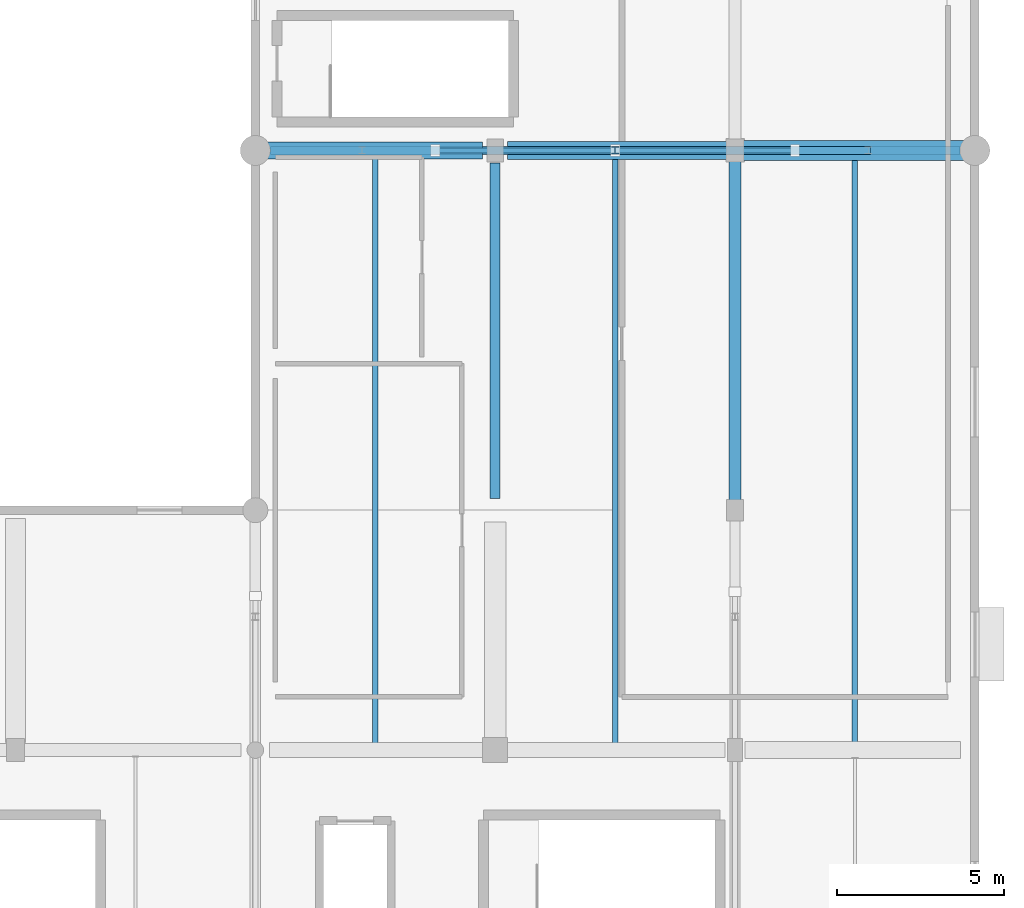
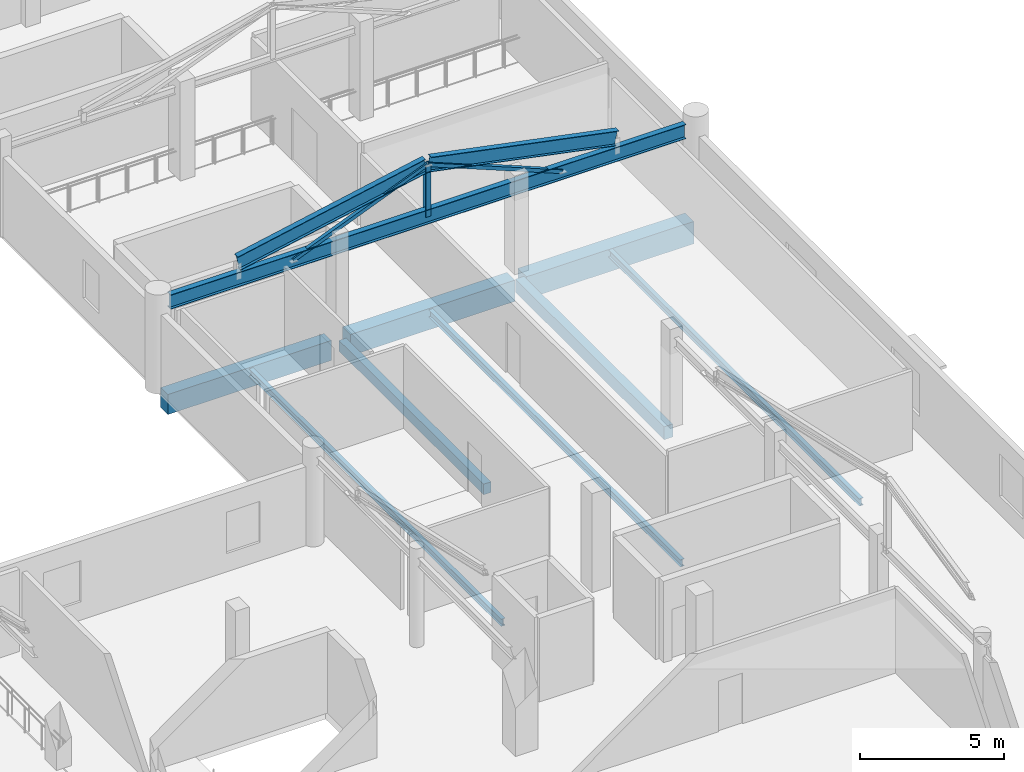
# One storey, part 15 of 41: 11 beams, 3 members.
"""IFC4 building model written with IfcOpenShell, lengths in metres."""

from ifc_helpers import new_model, si_unit, direction, frame, origin, origin_2d, place, context, subcontext, project, spatial, rectangle, hollow_rectangle, i_section, extrude, material, material_profile, profile_set, type_object, element, save


model = new_model("IFC4")

# Units and contexts
model_context = context("Model", 3, precision=1e-05, world=origin(), true_north=direction((0.0, 1.0)))
body_context = subcontext(model_context, "Body", "Model", "MODEL_VIEW")
ifc_project = project(units=[si_unit("LENGTHUNIT", "METRE"), si_unit("AREAUNIT", "SQUARE_METRE"), si_unit("VOLUMEUNIT", "CUBIC_METRE"), si_unit("PLANEANGLEUNIT", "RADIAN"), si_unit("MASSUNIT", "GRAM", prefix="KILO")], contexts=[model_context])

# Site, building, storey
site_placement = place(None, origin())
site = spatial("IfcSite", under=ifc_project, at=site_placement, CompositionType="ELEMENT")
building_placement = place(site_placement, origin())
building = spatial("IfcBuilding", under=site, at=building_placement, Name="Solanera Park Tramway Depot", CompositionType="ELEMENT")
storey_placement = place(building_placement, frame((0.0, 0.0, 13.199951171875)))
storey = spatial("IfcBuildingStorey", under=building, at=storey_placement, Name="L03", CompositionType="ELEMENT", Elevation=13.199951171875)

# Beams
ifc_material_1 = material(Name="Concrete N40 (C40/50)", Category="concrete")
ifc_material_profile_1 = material_profile(ifc_material_1, rectangle(XDim=0.300048828125, YDim=0.449951171875, at=origin_2d()), Name="RCB 300x450")
ifc_profile_set_1 = profile_set([ifc_material_profile_1], Name="Concrete N40 (C40/50)")
beam_type_1 = type_object("IfcBeamType", Name="RC Floor Beam RCB 300x450", PredefinedType="BEAM", material=ifc_profile_set_1)
beam_1_placement = place(storey_placement, frame((172.800048828125, 32.75, -0.50390625), z_axis=(0.0, 1.0, 0.0), x_axis=(-1.0, 0.0, 0.0)))
element("IfcBeam", 1, at=beam_1_placement, inside=storey, type_object=beam_type_1, Name="L03 Primary Y-Girder RCB 300x450 #0246", PredefinedType="BEAM", context=body_context, shape_type="SweptSolid", body=[
    extrude(rectangle(XDim=0.300048828125, YDim=0.449951171875, at=origin_2d()), origin(), (0.0, 0.0, 1.0), 10.074951171875),
])
ifc_material_2 = material(Name="Concrete N40 (C40/50)", Category="concrete")
ifc_material_profile_2 = material_profile(ifc_material_2, rectangle(XDim=0.35009765625, YDim=0.550048828125, at=origin_2d()), Name="RCB 350x550")
ifc_profile_set_2 = profile_set([ifc_material_profile_2], Name="Concrete N40 (C40/50)")
beam_type_2 = type_object("IfcBeamType", Name="RC Floor Beam RCB 350x550", PredefinedType="BEAM", material=ifc_profile_set_2)
beam_2_placement = place(storey_placement, frame((180.0, 32.625, -0.553955078125), z_axis=(0.0, 1.0, 0.0), x_axis=(-1.0, 0.0, 0.0)))
element("IfcBeam", 2, at=beam_2_placement, inside=storey, type_object=beam_type_2, Name="L03 Primary Y-Girder RCB 350x550 #0247", PredefinedType="BEAM", context=body_context, shape_type="SweptSolid", body=[
    extrude(rectangle(XDim=0.35009765625, YDim=0.550048828125, at=origin_2d()), origin(), (0.0, 0.0, 1.0), 10.35009765625),
])
ifc_material_3 = material(Name="Concrete N40 (C40/50)", Category="concrete")
ifc_material_profile_3 = material_profile(ifc_material_3, rectangle(XDim=0.5, YDim=0.85009765625, at=origin_2d()), Name="RCB 500x850")
ifc_profile_set_3 = profile_set([ifc_material_profile_3], Name="Concrete N40 (C40/50)")
beam_type_3 = type_object("IfcBeamType", Name="RC Floor Beam RCB 500x850", PredefinedType="BEAM", material=ifc_profile_set_3)
beam_3_placement = place(storey_placement, frame((165.85009765625, 43.199951171875, -0.703857421875), z_axis=(1.0, 0.0, 0.0), x_axis=(0.0, 1.0, 0.0)))
element("IfcBeam", 3, at=beam_3_placement, inside=storey, type_object=beam_type_3, Name="L03 Primary X-Girder RCB 500x850 #0235", PredefinedType="BEAM", context=body_context, shape_type="SweptSolid", body=[
    extrude(rectangle(XDim=0.5, YDim=0.85009765625, at=origin_2d()), origin(), (0.0, 0.0, 1.0), 6.574951171875),
])
ifc_material_4 = material(Name="Concrete N40 (C40/50)", Category="concrete")
ifc_material_profile_4 = material_profile(ifc_material_4, rectangle(XDim=0.550048828125, YDim=0.89990234375, at=origin_2d()), Name="RCB 550x900")
ifc_profile_set_4 = profile_set([ifc_material_profile_4], Name="Concrete N40 (C40/50)")
beam_type_4 = type_object("IfcBeamType", Name="RC Floor Beam RCB 550x900", PredefinedType="BEAM", material=ifc_profile_set_4)
beam_4_placement = place(storey_placement, frame((173.175048828125, 43.199951171875, -0.72900390625), z_axis=(1.0, 0.0, 0.0), x_axis=(0.0, 1.0, 0.0)))
element("IfcBeam", 4, at=beam_4_placement, inside=storey, type_object=beam_type_4, Name="L03 Primary X-Girder RCB 550x900 #0236", PredefinedType="BEAM", context=body_context, shape_type="SweptSolid", body=[
    extrude(rectangle(XDim=0.550048828125, YDim=0.89990234375, at=origin_2d()), origin(), (0.0, 0.0, 1.0), 6.599853515625),
])
ifc_material_5 = material(Name="Concrete N40 (C40/50)", Category="concrete")
ifc_material_profile_5 = material_profile(ifc_material_5, rectangle(XDim=0.60009765625, YDim=0.949951171875, at=origin_2d()), Name="RCB 600x950")
ifc_profile_set_5 = profile_set([ifc_material_profile_5], Name="Concrete N40 (C40/50)")
beam_type_5 = type_object("IfcBeamType", Name="RC Floor Beam RCB 600x950", PredefinedType="BEAM", material=ifc_profile_set_5)
beam_5_placement = place(storey_placement, frame((180.22509765625, 43.199951171875, -0.75390625), z_axis=(1.0, 0.0, 0.0), x_axis=(0.0, 1.0, 0.0)))
element("IfcBeam", 5, at=beam_5_placement, inside=storey, type_object=beam_type_5, Name="L03 Primary X-Girder RCB 600x950 #0237", PredefinedType="BEAM", context=body_context, shape_type="SweptSolid", body=[
    extrude(rectangle(XDim=0.60009765625, YDim=0.949951171875, at=origin_2d()), origin(), (0.0, 0.0, 1.0), 6.724853515625),
])

# Member
ifc_material_6 = material(Name="Steel AS/NZS 3679.1 Grade 350", Category="steel")
ifc_material_profile_6 = material_profile(ifc_material_6, i_section(OverallWidth=0.205078125, OverallDepth=0.209716796875, WebThickness=0.00927734375, FlangeThickness=0.01416015625, at=origin_2d()), Name="200UC59.5")
ifc_profile_set_6 = profile_set([ifc_material_profile_6], Name="Steel AS/NZS 3679.1 Grade 350")
member_type_1 = type_object("IfcMemberType", Name="Roof Gantry Compression Strut 200UC59.5", PredefinedType="STRUT", material=ifc_profile_set_6)
member_1_placement = place(storey_placement, frame((176.39990234375, 43.199951171875, 3.494140625), z_axis=(0.0, 0.0, 1.0), x_axis=(1.0, 0.0, 0.0)))
element("IfcMember", 6, at=member_1_placement, inside=storey, type_object=member_type_1, Name="Hip ROOF TRUSS King Post #0139", PredefinedType="STRUT", context=body_context, shape_type="SweptSolid", body=[
    extrude(i_section(OverallWidth=0.205078125, OverallDepth=0.209716796875, WebThickness=0.00927734375, FlangeThickness=0.01416015625, at=origin_2d()), origin(), (0.0, 0.0, 1.0), 2.1875),
])

# Beams
ifc_material_7 = material(Name="Steel AS/NZS 3679.1 Grade 350", Category="steel")
ifc_material_profile_7 = material_profile(ifc_material_7, i_section(OverallWidth=0.22900390625, OverallDepth=0.611572265625, WebThickness=0.011962890625, FlangeThickness=0.01953125, at=origin_2d()), Name="610UB125")
ifc_profile_set_7 = profile_set([ifc_material_profile_7], Name="Steel AS/NZS 3679.1 Grade 350")
beam_type_6 = type_object("IfcBeamType", Name="Steel Beam 610UB125", PredefinedType="BEAM", material=ifc_profile_set_7)
beam_6_placement = place(storey_placement, frame((166.050048828125, 43.199951171875, 3.494140625), z_axis=(1.0, 0.0, 0.0), x_axis=(0.0, 1.0, 0.0)))
element("IfcBeam", 7, at=beam_6_placement, inside=storey, type_object=beam_type_6, Name="L03 Hip ROOF TRUSS Tie 610UB125 #1077", PredefinedType="BEAM", context=body_context, shape_type="SweptSolid", body=[
    extrude(i_section(OverallWidth=0.22900390625, OverallDepth=0.611572265625, WebThickness=0.011962890625, FlangeThickness=0.01953125, at=origin_2d()), origin(), (0.0, 0.0, 1.0), 20.699951171875),
])
for number, where, z_axis, x_axis, name in (
    (8, (168.800048828125, 43.199951171875, 4.165771484375), (0.980383614134, 0.0, 0.197098881627), (0.0, 1.0, 0.0), "L03 Hip ROOF TRUSS Rafter 610UB125 #1078"),
    (9, (176.4599609375, 43.199951171875, 5.681640625), (0.980383614134, 0.0, -0.197098881627), (0.0, 1.0, 0.0), "L03 Hip ROOF TRUSS Rafter 610UB125 #1079"),
):
    element("IfcBeam", number, at=place(storey_placement, frame(where, z_axis=z_axis, x_axis=x_axis)), inside=storey, type_object=beam_type_6, Name=name, PredefinedType="BEAM", context=body_context, shape_type="SweptSolid", body=[
        extrude(i_section(OverallWidth=0.22900390625, OverallDepth=0.611572265625, WebThickness=0.011962890625, FlangeThickness=0.01953125, at=origin_2d()), origin(), (0.0, 0.0, 1.0), 7.69091796875),
    ])
ifc_material_8 = material(Name="Steel AS/NZS 3679.1 Grade 350", Category="steel")
ifc_material_profile_8 = material_profile(ifc_material_8, i_section(OverallWidth=0.166015625, OverallDepth=0.30712890625, WebThickness=0.006591796875, FlangeThickness=0.01171875, at=origin_2d()), Name="310UB46.2")
ifc_profile_set_8 = profile_set([ifc_material_profile_8], Name="Steel AS/NZS 3679.1 Grade 350")
beam_type_7 = type_object("IfcBeamType", Name="Steel Joist Purlin 310UB46.2", PredefinedType="JOIST", material=ifc_profile_set_8)
beam_7_placement = place(storey_placement, frame((169.199951171875, 25.4169921875, -0.482666015625), z_axis=(0.0, 1.0, 0.0), x_axis=(-1.0, 0.0, 0.0)))
element("IfcBeam", 10, at=beam_7_placement, inside=storey, type_object=beam_type_7, Name="L03 Secondary Floor Joist 310UB46.2 #0277", PredefinedType="JOIST", context=body_context, shape_type="SweptSolid", body=[
    extrude(i_section(OverallWidth=0.166015625, OverallDepth=0.30712890625, WebThickness=0.006591796875, FlangeThickness=0.01171875, at=origin_2d()), origin(), (0.0, 0.0, 1.0), 17.541015625),
])
beam_8_placement = place(storey_placement, frame((176.39990234375, 25.4169921875, -0.482666015625), z_axis=(0.0, 1.0, 0.0), x_axis=(-1.0, 0.0, 0.0)))
element("IfcBeam", 11, at=beam_8_placement, inside=storey, type_object=beam_type_7, Name="L03 Secondary Floor Joist 310UB46.2 #0278", PredefinedType="JOIST", context=body_context, shape_type="SweptSolid", body=[
    extrude(i_section(OverallWidth=0.166015625, OverallDepth=0.30712890625, WebThickness=0.006591796875, FlangeThickness=0.01171875, at=origin_2d()), origin(), (0.0, 0.0, 1.0), 17.51611328125),
])
beam_9_placement = place(storey_placement, frame((183.60009765625, 25.44189453125, -0.4326171875), z_axis=(0.0, 1.0, 0.0), x_axis=(-1.0, 0.0, 0.0)))
element("IfcBeam", 12, at=beam_9_placement, inside=storey, type_object=beam_type_7, Name="L03 Secondary Floor Joist 310UB46.2 #0279", PredefinedType="JOIST", context=body_context, shape_type="SweptSolid", body=[
    extrude(i_section(OverallWidth=0.166015625, OverallDepth=0.30712890625, WebThickness=0.006591796875, FlangeThickness=0.01171875, at=origin_2d()), origin(), (0.0, 0.0, 1.0), 17.466064453125),
])

# Members
ifc_material_9 = material(Name="Steel AS/NZS 1163 Grade C350L0", Category="steel")
ifc_material_profile_9 = material_profile(ifc_material_9, hollow_rectangle(XDim=0.14990234375, YDim=0.14990234375, WallThickness=0.006103515625, at=origin_2d()), Name="150x150x6.0 SHS")
ifc_profile_set_9 = profile_set([ifc_material_profile_9], Name="Steel AS/NZS 1163 Grade C350L0")
member_type_2 = type_object("IfcMemberType", Name="Truss and Frame Brace 150x150x6.0 SHS", PredefinedType="BRACE", material=ifc_profile_set_9)
member_2_placement = place(storey_placement, frame((171.0, 43.199951171875, 3.494140625), z_axis=(0.926837819051, 0.0, 0.37546192507), x_axis=(0.0, 1.0, 0.0)))
element("IfcMember", 13, at=member_2_placement, inside=storey, type_object=member_type_2, Name="Hip ROOF TRUSS Web #0459", PredefinedType="BRACE", context=body_context, shape_type="SweptSolid", body=[
    extrude(hollow_rectangle(XDim=0.14990234375, YDim=0.14990234375, WallThickness=0.006103515625, at=origin_2d()), origin(), (0.0, 0.0, 1.0), 5.826171875),
])
member_3_placement = place(storey_placement, frame((181.800048828125, 43.199951171875, 3.494140625), z_axis=(-0.926843726016, 0.0, 0.375447343239), x_axis=(0.0, -1.0, 0.0)))
element("IfcMember", 14, at=member_3_placement, inside=storey, type_object=member_type_2, Name="Hip ROOF TRUSS Web #0460", PredefinedType="BRACE", context=body_context, shape_type="SweptSolid", body=[
    extrude(hollow_rectangle(XDim=0.14990234375, YDim=0.14990234375, WallThickness=0.006103515625, at=origin_2d()), origin(), (0.0, 0.0, 1.0), 5.826416015625),
])

save(model, "model.ifc")
